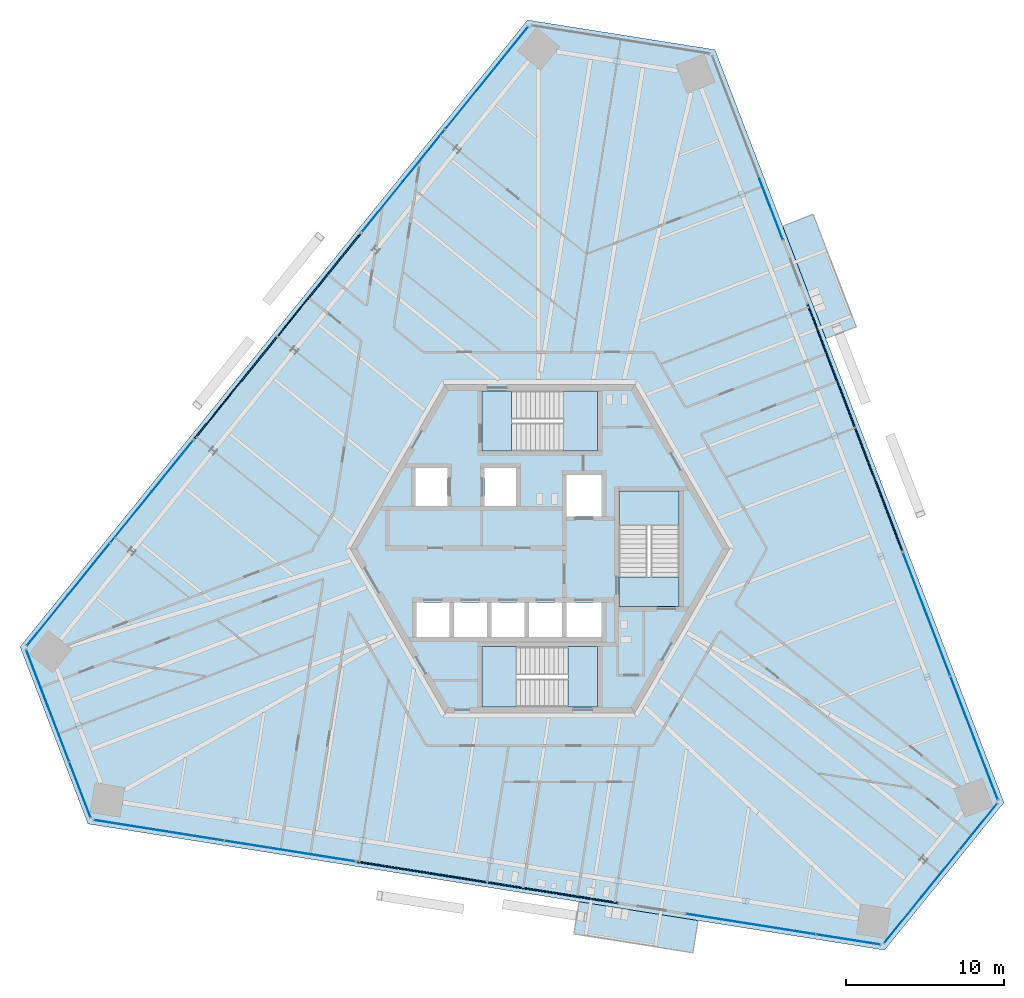
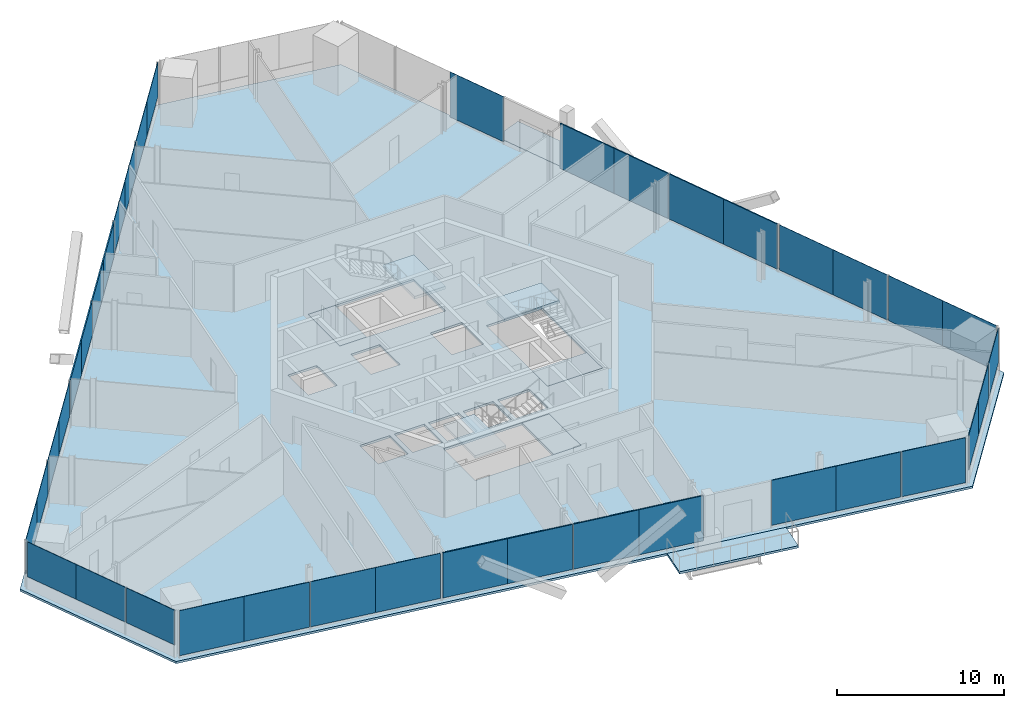
# One storey, part 9 of 18: 38 plates, 9 slabs, 14 elements without a shape of their own.
"""IFC4 building model written with IfcOpenShell, lengths in metres."""

from ifc_helpers import new_model, si_unit, direction, frame, origin, origin_2d, place, context, subcontext, project, spatial, polyline, rectangle, outline, extrude, source, transform, mapped, material, layer, layer_set, type_object, element, aggregate, save


model = new_model("IFC4")

# Units and contexts
model_context = context("Model", 3, precision=1e-05, world=origin(), true_north=direction((0.0, 1.0)))
body_context = subcontext(model_context, "Body", "Model", "MODEL_VIEW")
ifc_project = project(units=[si_unit("LENGTHUNIT", "METRE"), si_unit("AREAUNIT", "SQUARE_METRE"), si_unit("VOLUMEUNIT", "CUBIC_METRE"), si_unit("PLANEANGLEUNIT", "RADIAN"), si_unit("MASSUNIT", "GRAM", prefix="KILO")], contexts=[model_context])

# Site, building, storey
site_placement = place(None, origin())
site = spatial("IfcSite", under=ifc_project, at=site_placement, CompositionType="ELEMENT")
building_placement = place(site_placement, origin())
building = spatial("IfcBuilding", under=site, at=building_placement, Name="Triune Harvest Tower", CompositionType="ELEMENT")
storey_placement = place(building_placement, frame((0.0, 0.0, 156.89990234375)))
storey = spatial("IfcBuildingStorey", under=building, at=storey_placement, Name="L40", CompositionType="ELEMENT", Elevation=156.89990234375)

# Slabs
ifc_material_1 = material(Name="Concrete 40 MPa", Category="concrete")
ifc_layer_1 = layer(ifc_material_1, 0.159912109375)
ifc_layer_set_1 = layer_set([ifc_layer_1], Name="Concrete 40 MPa")
slab_type_1 = type_object("IfcSlabType", Name="BA-1 balcony slab 160", PredefinedType="FLOOR", material=ifc_layer_set_1)
slab_1_placement = place(storey_placement, frame((0.0, 0.0, -0.159912109375)))
element("IfcSlab", 1, at=slab_1_placement, inside=storey, type_object=slab_type_1, Name="Balcony slab B4-F1 L40.9", PredefinedType="FLOOR", context=body_context, shape_type="SweptSolid", body=[
    extrude(outline(polyline([(18.08447265625, 13.302978515625), (15.355712890625, 20.41162109375), (17.280029296875, 21.150390625), (20.0087890625, 14.0419921875), (18.08447265625, 13.302978515625)])), origin(), (0.0, 0.0, 1.0), 0.159912109375),
])
slab_2_placement = place(storey_placement, frame((0.0, 0.0, -0.159912109375)))
element("IfcSlab", 2, at=slab_2_placement, inside=storey, type_object=slab_type_1, Name="Balcony slab B4-F5 L40.9", PredefinedType="FLOOR", context=body_context, shape_type="SweptSolid", body=[
    extrude(outline(polyline([(2.478515625, -22.31298828125), (9.9990234375, -23.504150390625), (9.676513671875, -25.540283203125), (2.15625, -24.34912109375), (2.478515625, -22.31298828125)])), origin(), (0.0, 0.0, 1.0), 0.159912109375),
])
ifc_material_2 = material(Name="Concrete 40 MPa", Category="concrete")
ifc_layer_2 = layer(ifc_material_2, 0.159912109375)
ifc_layer_set_2 = layer_set([ifc_layer_2], Name="Concrete 40 MPa")
slab_type_2 = type_object("IfcSlabType", Name="SL-1 Composite floor slab 160", PredefinedType="FLOOR", material=ifc_layer_set_2)
shared_shape_1 = source(origin(), body_context, "Body", "SweptSolid", [
    extrude(outline(polyline([(29.35107421875, -16.04736328125), (11.07421875, 31.565185546875), (-0.778076171875, 33.4423828125), (-32.873291015625, -6.19189453125), (-28.572998046875, -17.39501953125), (21.799072265625, -25.373291015625), (29.35107421875, -16.04736328125)]), holes=[polyline([(-5.72509765625, -5.590087890625), (-5.72509765625, -3.389892578125), (-7.800048828125, -3.389892578125), (-7.800048828125, -5.590087890625), (-5.72509765625, -5.590087890625)]), polyline([(-3.35009765625, -5.590087890625), (-3.35009765625, -3.389892578125), (-5.425048828125, -3.389892578125), (-5.425048828125, -5.590087890625), (-3.35009765625, -5.590087890625)]), polyline([(-0.97509765625, -5.590087890625), (-0.97509765625, -3.389892578125), (-3.050048828125, -3.389892578125), (-3.050048828125, -5.590087890625), (-0.97509765625, -5.590087890625)]), polyline([(1.39990234375, -5.590087890625), (1.39990234375, -3.389892578125), (-0.675048828125, -3.389892578125), (-0.675048828125, -5.590087890625), (1.39990234375, -5.590087890625)]), polyline([(3.89990234375, 2.06005859375), (3.89990234375, 4.659912109375), (1.699951171875, 4.659912109375), (1.699951171875, 2.06005859375), (3.89990234375, 2.06005859375)]), polyline([(3.89990234375, -5.590087890625), (3.89990234375, -3.389892578125), (1.699951171875, -3.389892578125), (1.699951171875, -5.590087890625), (3.89990234375, -5.590087890625)]), polyline([(-5.85009765625, 2.7099609375), (-5.85009765625, 5.110107421875), (-7.85009765625, 5.110107421875), (-7.85009765625, 2.7099609375), (-5.85009765625, 2.7099609375)]), polyline([(-1.5, 2.7099609375), (-1.5, 5.110107421875), (-3.5, 5.110107421875), (-3.5, 2.7099609375), (-1.5, 2.7099609375)]), polyline([(3.64990234375, 6.18994140625), (3.64990234375, 9.989990234375), (-3.64990234375, 9.989990234375), (-3.64990234375, 6.18994140625), (3.64990234375, 6.18994140625)]), polyline([(3.64990234375, -9.989990234375), (3.64990234375, -6.18994140625), (-3.64990234375, -6.18994140625), (-3.64990234375, -9.989990234375), (3.64990234375, -9.989990234375)]), polyline([(8.800048828125, -3.64990234375), (8.800048828125, 3.64990234375), (5.0, 3.64990234375), (5.0, -3.64990234375), (8.800048828125, -3.64990234375)])]), origin(), (0.0, 0.0, 1.0), 0.159912109375),
])
slab_3_placement = place(storey_placement, frame((0.0, 0.0, -0.159912109375)))
element("IfcSlab", 3, at=slab_3_placement, inside=storey, type_object=slab_type_2, Name="slab/L40/1", PredefinedType="FLOOR", context=body_context, shape_type="MappedRepresentation", body=[
    mapped(shared_shape_1, transform((0.0, 0.0, 0.0), scale=1.0)),
])

# Stair, slabs
ifc_material_3 = material(Name="Concrete 40 MPa", Category="concrete")
stair_type = type_object("IfcStairType", Name="Exit stair 1800 half turn", PredefinedType="HALF_TURN_STAIR", material=ifc_material_3)
stair_1_placement = place(storey_placement, origin())
stair_1 = element("IfcStair", 4, at=stair_1_placement, inside=storey, type_object=stair_type, Name="Exit stair north", PredefinedType="HALF_TURN_STAIR")
ifc_material_4 = material(Name="Concrete 40 MPa", Category="concrete")
ifc_layer_3 = layer(ifc_material_4, 0.199951171875)
ifc_layer_set_3 = layer_set([ifc_layer_3], Name="Concrete 40 MPa")
slab_type_3 = type_object("IfcSlabType", Name="Stair landing 200", PredefinedType="LANDING", material=ifc_layer_set_3)
shared_shape_2 = source(origin(), body_context, "Body", "SweptSolid", [
    extrude(outline(polyline([(1.510009765625, 6.18994140625), (3.64990234375, 6.18994140625), (3.64990234375, 9.989990234375), (1.510009765625, 9.989990234375), (1.510009765625, 6.18994140625)])), origin(), (0.0, 0.0, 1.0), 0.199951171875),
])
slab_4_placement = place(storey_placement, frame((0.0, 0.0, 1.60009765625)))
slab_4 = element("IfcSlab", 5, at=slab_4_placement, type_object=slab_type_3, Name="ST-1 landing 2", PredefinedType="LANDING", context=body_context, shape_type="MappedRepresentation", body=[
    mapped(shared_shape_2, transform((0.0, 0.0, 0.0), scale=1.0)),
])
shared_shape_3 = source(origin(), body_context, "Body", "SweptSolid", [
    extrude(outline(polyline([(-3.64990234375, 6.18994140625), (-1.780029296875, 6.18994140625), (-1.780029296875, 9.989990234375), (-3.64990234375, 9.989990234375), (-3.64990234375, 6.18994140625)])), origin(), (0.0, 0.0, 1.0), 0.199951171875),
])
slab_5_placement = place(storey_placement, frame((0.0, 0.0, -0.199951171875)))
slab_5 = element("IfcSlab", 6, at=slab_5_placement, type_object=slab_type_3, Name="ST-1 landing 1", PredefinedType="LANDING", context=body_context, shape_type="MappedRepresentation", body=[
    mapped(shared_shape_3, transform((0.0, 0.0, 0.0), scale=1.0)),
])
aggregate(stair_1, [slab_5, slab_4])

stair_2_placement = place(storey_placement, origin())
stair_2 = element("IfcStair", 7, at=stair_2_placement, inside=storey, type_object=stair_type, Name="Exit stair south", PredefinedType="HALF_TURN_STAIR")
shared_shape_4 = source(origin(), body_context, "Body", "SweptSolid", [
    extrude(outline(polyline([(-1.510009765625, -6.18994140625), (-3.64990234375, -6.18994140625), (-3.64990234375, -9.989990234375), (-1.510009765625, -9.989990234375), (-1.510009765625, -6.18994140625)])), origin(), (0.0, 0.0, 1.0), 0.199951171875),
])
slab_6_placement = place(storey_placement, frame((0.0, 0.0, 1.60009765625)))
slab_6 = element("IfcSlab", 8, at=slab_6_placement, type_object=slab_type_3, Name="ST-2 landing 2", PredefinedType="LANDING", context=body_context, shape_type="MappedRepresentation", body=[
    mapped(shared_shape_4, transform((0.0, 0.0, 0.0), scale=1.0)),
])
shared_shape_5 = source(origin(), body_context, "Body", "SweptSolid", [
    extrude(outline(polyline([(3.64990234375, -6.18994140625), (1.780029296875, -6.18994140625), (1.780029296875, -9.989990234375), (3.64990234375, -9.989990234375), (3.64990234375, -6.18994140625)])), origin(), (0.0, 0.0, 1.0), 0.199951171875),
])
slab_7_placement = place(storey_placement, frame((0.0, 0.0, -0.199951171875)))
slab_7 = element("IfcSlab", 9, at=slab_7_placement, type_object=slab_type_3, Name="ST-2 landing 1", PredefinedType="LANDING", context=body_context, shape_type="MappedRepresentation", body=[
    mapped(shared_shape_5, transform((0.0, 0.0, 0.0), scale=1.0)),
])
aggregate(stair_2, [slab_7, slab_6])

stair_3_placement = place(storey_placement, origin())
stair_3 = element("IfcStair", 10, at=stair_3_placement, inside=storey, type_object=stair_type, Name="Exit stair east", PredefinedType="HALF_TURN_STAIR")
shared_shape_6 = source(origin(), body_context, "Body", "SweptSolid", [
    extrude(outline(polyline([(8.800048828125, 1.510009765625), (8.800048828125, 3.64990234375), (5.0, 3.64990234375), (5.0, 1.510009765625), (8.800048828125, 1.510009765625)])), origin(), (0.0, 0.0, 1.0), 0.199951171875),
])
slab_8_placement = place(storey_placement, frame((0.0, 0.0, 1.60009765625)))
slab_8 = element("IfcSlab", 11, at=slab_8_placement, type_object=slab_type_3, Name="ST-3 landing 2", PredefinedType="LANDING", context=body_context, shape_type="MappedRepresentation", body=[
    mapped(shared_shape_6, transform((0.0, 0.0, 0.0), scale=1.0)),
])
shared_shape_7 = source(origin(), body_context, "Body", "SweptSolid", [
    extrude(outline(polyline([(8.800048828125, -3.64990234375), (8.800048828125, -1.780029296875), (5.0, -1.780029296875), (5.0, -3.64990234375), (8.800048828125, -3.64990234375)])), origin(), (0.0, 0.0, 1.0), 0.199951171875),
])
slab_9_placement = place(storey_placement, frame((0.0, 0.0, -0.199951171875)))
slab_9 = element("IfcSlab", 12, at=slab_9_placement, type_object=slab_type_3, Name="ST-3 landing 1", PredefinedType="LANDING", context=body_context, shape_type="MappedRepresentation", body=[
    mapped(shared_shape_7, transform((0.0, 0.0, 0.0), scale=1.0)),
])
aggregate(stair_3, [slab_9, slab_8])

# Curtain wall, plate
ifc_material_5 = material(Name="Aluminium bronze anodised", Category="aluminium")
curtain_wall_type_1 = type_object("IfcCurtainWallType", Name="CW-1 Tower stick curtain wall", PredefinedType="NOTDEFINED", material=ifc_material_5)
curtain_wall_1_placement = place(storey_placement, origin())
curtain_wall_1 = element("IfcCurtainWall", 13, at=curtain_wall_1_placement, inside=storey, type_object=curtain_wall_type_1, Name="CW-1 B4-F4 L40 run 1")
ifc_material_6 = material(Name="Glass", Category="glass")
ifc_layer_4 = layer(ifc_material_6, 0.031982421875)
ifc_layer_set_4 = layer_set([ifc_layer_4], Name="Glass")
plate_type_1 = type_object("IfcPlateType", Name="GL-1 panel 32", PredefinedType="CURTAIN_PANEL", material=ifc_layer_set_4)
shared_shape_8 = source(origin(), body_context, "Body", "SweptSolid", [
    extrude(rectangle(XDim=3.74951171875, YDim=0.031982421875, at=origin_2d()), origin(), (0.0, 0.0, 1.0), 2.5400390625),
])
plate_1_placement = place(storey_placement, frame((-31.80029296875, -8.150390625, 0.900146484375), z_axis=(0.0, 0.0, 1.0), x_axis=(0.358368910177, -0.933580057745, 0.0)))
plate_1 = element("IfcPlate", 14, at=plate_1_placement, type_object=plate_type_1, Name="CW-1 panel B4-F4 1.1", PredefinedType="CURTAIN_PANEL", context=body_context, shape_type="MappedRepresentation", body=[
    mapped(shared_shape_8, transform((0.0, 0.0, 0.0), scale=1.0)),
])

curtain_wall_2_placement = place(storey_placement, origin())
curtain_wall_2 = element("IfcCurtainWall", 15, at=curtain_wall_2_placement, inside=storey, type_object=curtain_wall_type_1, Name="CW-1 B4-F6 L40 run 1")
plate_2_placement = place(storey_placement, frame((22.958740234375, -23.464599609375, 0.900146484375), z_axis=(0.0, 0.0, 1.0), x_axis=(0.629320905414, 0.777145544932, 0.0)))
plate_2 = element("IfcPlate", 16, at=plate_2_placement, type_object=plate_type_1, Name="CW-1 panel B4-F6 1.1", PredefinedType="CURTAIN_PANEL", context=body_context, shape_type="MappedRepresentation", body=[
    mapped(shared_shape_8, transform((0.0, 0.0, 0.0), scale=1.0)),
])

# Plate
shared_shape_9 = source(origin(), body_context, "Body", "SweptSolid", [
    extrude(rectangle(XDim=3.787109375, YDim=0.031982421875, at=origin_2d()), origin(), (0.0, 0.0, 1.0), 2.5400390625),
])
plate_3_placement = place(storey_placement, frame((-30.449951171875, -11.66845703125, 0.900146484375), z_axis=(0.0, 0.0, 1.0), x_axis=(0.358368910177, -0.933580057745, 0.0)))
plate_3 = element("IfcPlate", 17, at=plate_3_placement, type_object=plate_type_1, Name="CW-1 panel B4-F4 1.2", PredefinedType="CURTAIN_PANEL", context=body_context, shape_type="MappedRepresentation", body=[
    mapped(shared_shape_9, transform((0.0, 0.0, 0.0), scale=1.0)),
])

plate_4_placement = place(storey_placement, frame((25.330078125, -20.5361328125, 0.900146484375), z_axis=(0.0, 0.0, 1.0), x_axis=(0.629320905414, 0.777145544932, 0.0)))
plate_4 = element("IfcPlate", 18, at=plate_4_placement, type_object=plate_type_1, Name="CW-1 panel B4-F6 1.2", PredefinedType="CURTAIN_PANEL", context=body_context, shape_type="MappedRepresentation", body=[
    mapped(shared_shape_9, transform((0.0, 0.0, 0.0), scale=1.0)),
])

# Curtain wall, plates
ifc_material_7 = material(Name="Aluminium bronze anodised", Category="aluminium")
curtain_wall_type_2 = type_object("IfcCurtainWallType", Name="CW-7 Tower stick curtain wall with insulated spandrel infill", PredefinedType="NOTDEFINED", material=ifc_material_7)
curtain_wall_3_placement = place(storey_placement, origin())
curtain_wall_3 = element("IfcCurtainWall", 19, at=curtain_wall_3_placement, inside=storey, type_object=curtain_wall_type_2, Name="CW-7 B4-F3 L40 run 1001")
ifc_material_8 = material(Name="Insulated spandrel panel, bronze aluminium pan", Category="aluminium")
ifc_layer_5 = layer(ifc_material_8, 0.080078125)
ifc_layer_set_5 = layer_set([ifc_layer_5], Name="Insulated spandrel panel, bronze aluminium pan")
plate_type_2 = type_object("IfcPlateType", Name="SP-1 insulated spandrel panel 80", PredefinedType="CURTAIN_PANEL", material=ifc_layer_set_5)
shared_shape_10 = source(origin(), body_context, "Body", "SweptSolid", [
    extrude(rectangle(XDim=4.131103515625, YDim=0.080078125, at=origin_2d()), origin(), (0.0, 0.0, 1.0), 2.5400390625),
])
plate_5_placement = place(storey_placement, frame((-12.645751953125, 18.310546875, 0.900146484375), z_axis=(0.0, 0.0, 1.0), x_axis=(-0.629317225237, -0.777148525071, 0.0)))
plate_5 = element("IfcPlate", 20, at=plate_5_placement, type_object=plate_type_2, Name="CW-7 panel B4-F3 1001.1", PredefinedType="CURTAIN_PANEL", context=body_context, shape_type="MappedRepresentation", body=[
    mapped(shared_shape_10, transform((0.0, 0.0, 0.0), scale=1.0)),
])
plate_6_placement = place(storey_placement, frame((-20.53955078125, 8.562255859375, 0.900146484375), z_axis=(0.0, 0.0, 1.0), x_axis=(-0.629317225237, -0.777148525071, 0.0)))
plate_6 = element("IfcPlate", 21, at=plate_6_placement, type_object=plate_type_2, Name="CW-7 panel B4-F3 1001.4", PredefinedType="CURTAIN_PANEL", context=body_context, shape_type="MappedRepresentation", body=[
    mapped(shared_shape_10, transform((0.0, 0.0, 0.0), scale=1.0)),
])
shared_shape_11 = source(origin(), body_context, "Body", "SweptSolid", [
    extrude(rectangle(XDim=4.168701171875, YDim=0.080078125, at=origin_2d()), origin(), (0.0, 0.0, 1.0), 2.5400390625),
])
plate_7_placement = place(storey_placement, frame((-15.25732421875, 15.08544921875, 0.900146484375), z_axis=(0.0, 0.0, 1.0), x_axis=(-0.629317225237, -0.777148525071, 0.0)))
plate_7 = element("IfcPlate", 22, at=plate_7_placement, type_object=plate_type_2, Name="CW-7 panel B4-F3 1001.2", PredefinedType="CURTAIN_PANEL", context=body_context, shape_type="MappedRepresentation", body=[
    mapped(shared_shape_11, transform((0.0, 0.0, 0.0), scale=1.0)),
])
plate_8_placement = place(storey_placement, frame((-17.927978515625, 11.787353515625, 0.900146484375), z_axis=(0.0, 0.0, 1.0), x_axis=(-0.629317225237, -0.777148525071, 0.0)))
plate_8 = element("IfcPlate", 23, at=plate_8_placement, type_object=plate_type_2, Name="CW-7 panel B4-F3 1001.3", PredefinedType="CURTAIN_PANEL", context=body_context, shape_type="MappedRepresentation", body=[
    mapped(shared_shape_11, transform((0.0, 0.0, 0.0), scale=1.0)),
])
aggregate(curtain_wall_3, [plate_5, plate_7, plate_8, plate_6])

# Plate
shared_shape_12 = source(origin(), body_context, "Body", "SweptSolid", [
    extrude(rectangle(XDim=3.712158203125, YDim=0.031982421875, at=origin_2d()), origin(), (0.0, 0.0, 1.0), 2.5400390625),
])
plate_9_placement = place(storey_placement, frame((-29.079345703125, -15.239013671875, 0.900146484375), z_axis=(0.0, 0.0, 1.0), x_axis=(0.358368910177, -0.933580057745, 0.0)))
plate_9 = element("IfcPlate", 24, at=plate_9_placement, type_object=plate_type_1, Name="CW-1 panel B4-F4 1.3", PredefinedType="CURTAIN_PANEL", context=body_context, shape_type="MappedRepresentation", body=[
    mapped(shared_shape_12, transform((0.0, 0.0, 0.0), scale=1.0)),
])

aggregate(curtain_wall_1, [plate_1, plate_3, plate_9])

plate_10_placement = place(storey_placement, frame((27.737060546875, -17.563720703125, 0.900146484375), z_axis=(0.0, 0.0, 1.0), x_axis=(0.629320905414, 0.777145544932, 0.0)))
plate_10 = element("IfcPlate", 25, at=plate_10_placement, type_object=plate_type_1, Name="CW-1 panel B4-F6 1.3", PredefinedType="CURTAIN_PANEL", context=body_context, shape_type="MappedRepresentation", body=[
    mapped(shared_shape_12, transform((0.0, 0.0, 0.0), scale=1.0)),
])

aggregate(curtain_wall_2, [plate_2, plate_4, plate_10])

# Curtain wall, plates
curtain_wall_4_placement = place(storey_placement, origin())
curtain_wall_4 = element("IfcCurtainWall", 26, at=curtain_wall_4_placement, inside=storey, type_object=curtain_wall_type_1, Name="CW-1 B4-F3 L40 run 1")
shared_shape_13 = source(origin(), body_context, "Body", "SweptSolid", [
    extrude(rectangle(XDim=4.131103515625, YDim=0.031982421875, at=origin_2d()), origin(), (0.0, 0.0, 1.0), 2.5400390625),
])
plate_11_placement = place(storey_placement, frame((-2.0576171875, 31.385498046875, 0.900146484375), z_axis=(0.0, 0.0, 1.0), x_axis=(-0.629323576018, -0.77714338231, 0.0)))
plate_11 = element("IfcPlate", 27, at=plate_11_placement, type_object=plate_type_1, Name="CW-1 panel B4-F3 1.1", PredefinedType="CURTAIN_PANEL", context=body_context, shape_type="MappedRepresentation", body=[
    mapped(shared_shape_13, transform((0.0, 0.0, 0.0), scale=1.0)),
])
plate_12_placement = place(storey_placement, frame((-9.951416015625, 21.637451171875, 0.900146484375), z_axis=(0.0, 0.0, 1.0), x_axis=(-0.629323576018, -0.77714338231, 0.0)))
plate_12 = element("IfcPlate", 28, at=plate_12_placement, type_object=plate_type_1, Name="CW-1 panel B4-F3 1.4", PredefinedType="CURTAIN_PANEL", context=body_context, shape_type="MappedRepresentation", body=[
    mapped(shared_shape_13, transform((0.0, 0.0, 0.0), scale=1.0)),
])

curtain_wall_5_placement = place(storey_placement, origin())
curtain_wall_5 = element("IfcCurtainWall", 29, at=curtain_wall_5_placement, inside=storey, type_object=curtain_wall_type_1, Name="CW-1 B4-F3 L40 run 2001")
plate_13_placement = place(storey_placement, frame((-23.233642578125, 5.2353515625, 0.900146484375), z_axis=(0.0, 0.0, 1.0), x_axis=(-0.629323576018, -0.77714338231, 0.0)))
plate_13 = element("IfcPlate", 30, at=plate_13_placement, type_object=plate_type_1, Name="CW-1 panel B4-F3 2001.1", PredefinedType="CURTAIN_PANEL", context=body_context, shape_type="MappedRepresentation", body=[
    mapped(shared_shape_13, transform((0.0, 0.0, 0.0), scale=1.0)),
])
plate_14_placement = place(storey_placement, frame((-31.12744140625, -4.5126953125, 0.900146484375), z_axis=(0.0, 0.0, 1.0), x_axis=(-0.629323576018, -0.77714338231, 0.0)))
plate_14 = element("IfcPlate", 31, at=plate_14_placement, type_object=plate_type_1, Name="CW-1 panel B4-F3 2001.4", PredefinedType="CURTAIN_PANEL", context=body_context, shape_type="MappedRepresentation", body=[
    mapped(shared_shape_13, transform((0.0, 0.0, 0.0), scale=1.0)),
])

# Plate
shared_shape_14 = source(origin(), body_context, "Body", "SweptSolid", [
    extrude(rectangle(XDim=4.168701171875, YDim=0.031982421875, at=origin_2d()), origin(), (0.0, 0.0, 1.0), 2.5400390625),
])
plate_15_placement = place(storey_placement, frame((-4.669189453125, 28.160400390625, 0.900146484375), z_axis=(0.0, 0.0, 1.0), x_axis=(-0.629323576018, -0.77714338231, 0.0)))
plate_15 = element("IfcPlate", 32, at=plate_15_placement, type_object=plate_type_1, Name="CW-1 panel B4-F3 1.2", PredefinedType="CURTAIN_PANEL", context=body_context, shape_type="MappedRepresentation", body=[
    mapped(shared_shape_14, transform((0.0, 0.0, 0.0), scale=1.0)),
])

plate_16_placement = place(storey_placement, frame((-7.33984375, 24.862548828125, 0.900146484375), z_axis=(0.0, 0.0, 1.0), x_axis=(-0.629323576018, -0.77714338231, 0.0)))
plate_16 = element("IfcPlate", 33, at=plate_16_placement, type_object=plate_type_1, Name="CW-1 panel B4-F3 1.3", PredefinedType="CURTAIN_PANEL", context=body_context, shape_type="MappedRepresentation", body=[
    mapped(shared_shape_14, transform((0.0, 0.0, 0.0), scale=1.0)),
])

aggregate(curtain_wall_4, [plate_11, plate_15, plate_16, plate_12])

plate_17_placement = place(storey_placement, frame((-25.84521484375, 2.01025390625, 0.900146484375), z_axis=(0.0, 0.0, 1.0), x_axis=(-0.629323576018, -0.77714338231, 0.0)))
plate_17 = element("IfcPlate", 34, at=plate_17_placement, type_object=plate_type_1, Name="CW-1 panel B4-F3 2001.2", PredefinedType="CURTAIN_PANEL", context=body_context, shape_type="MappedRepresentation", body=[
    mapped(shared_shape_14, transform((0.0, 0.0, 0.0), scale=1.0)),
])

plate_18_placement = place(storey_placement, frame((-28.515869140625, -1.28759765625, 0.900146484375), z_axis=(0.0, 0.0, 1.0), x_axis=(-0.629323576018, -0.77714338231, 0.0)))
plate_18 = element("IfcPlate", 35, at=plate_18_placement, type_object=plate_type_1, Name="CW-1 panel B4-F3 2001.3", PredefinedType="CURTAIN_PANEL", context=body_context, shape_type="MappedRepresentation", body=[
    mapped(shared_shape_14, transform((0.0, 0.0, 0.0), scale=1.0)),
])

aggregate(curtain_wall_5, [plate_13, plate_17, plate_18, plate_14])

# Curtain wall, plates
ifc_material_9 = material(Name="Aluminium bronze anodised", Category="aluminium")
curtain_wall_type_3 = type_object("IfcCurtainWallType", Name="CW-6 Balcony window wall", PredefinedType="NOTDEFINED", material=ifc_material_9)
curtain_wall_6_placement = place(storey_placement, origin())
curtain_wall_6 = element("IfcCurtainWall", 36, at=curtain_wall_6_placement, inside=storey, type_object=curtain_wall_type_3, Name="CW-6 B4-F1 L40 run 1")
ifc_material_10 = material(Name="Glass", Category="glass")
ifc_layer_6 = layer(ifc_material_10, 0.030029296875)
ifc_layer_set_6 = layer_set([ifc_layer_6], Name="Glass")
plate_type_3 = type_object("IfcPlateType", Name="GL-6 panel 30", PredefinedType="CURTAIN_PANEL", material=ifc_layer_set_6)
shared_shape_15 = source(origin(), body_context, "Body", "SweptSolid", [
    extrude(rectangle(XDim=4.134765625, YDim=0.030029296875, at=origin_2d()), origin(), (0.0, 0.0, 1.0), 3.2900390625),
])
plate_19_placement = place(storey_placement, frame((28.208984375, -13.908935546875, 0.150146484375), z_axis=(0.0, 0.0, 1.0), x_axis=(-0.358367452837, 0.933580617165, 0.0)))
plate_19 = element("IfcPlate", 37, at=plate_19_placement, type_object=plate_type_3, Name="CW-6 panel B4-F1 1.1", PredefinedType="CURTAIN_PANEL", context=body_context, shape_type="MappedRepresentation", body=[
    mapped(shared_shape_15, transform((0.0, 0.0, 0.0), scale=1.0)),
])
plate_20_placement = place(storey_placement, frame((23.709716796875, -2.188232421875, 0.150146484375), z_axis=(0.0, 0.0, 1.0), x_axis=(-0.358367452837, 0.933580617165, 0.0)))
plate_20 = element("IfcPlate", 38, at=plate_20_placement, type_object=plate_type_3, Name="CW-6 panel B4-F1 1.4", PredefinedType="CURTAIN_PANEL", context=body_context, shape_type="MappedRepresentation", body=[
    mapped(shared_shape_15, transform((0.0, 0.0, 0.0), scale=1.0)),
])

curtain_wall_7_placement = place(storey_placement, origin())
curtain_wall_7 = element("IfcCurtainWall", 39, at=curtain_wall_7_placement, inside=storey, type_object=curtain_wall_type_3, Name="CW-6 B4-F5 L40 run 1")
plate_21_placement = place(storey_placement, frame((-26.150146484375, -17.47509765625, 0.150146484375), z_axis=(0.0, 0.0, 1.0), x_axis=(0.987687992958, -0.156436659921, 0.0)))
plate_21 = element("IfcPlate", 40, at=plate_21_placement, type_object=plate_type_3, Name="CW-6 panel B4-F5 1.1", PredefinedType="CURTAIN_PANEL", context=body_context, shape_type="MappedRepresentation", body=[
    mapped(shared_shape_15, transform((0.0, 0.0, 0.0), scale=1.0)),
])
plate_22_placement = place(storey_placement, frame((-13.75, -19.43896484375, 0.150146484375), z_axis=(0.0, 0.0, 1.0), x_axis=(0.987687992958, -0.156436659921, 0.0)))
plate_22 = element("IfcPlate", 41, at=plate_22_placement, type_object=plate_type_3, Name="CW-6 panel B4-F5 1.4", PredefinedType="CURTAIN_PANEL", context=body_context, shape_type="MappedRepresentation", body=[
    mapped(shared_shape_15, transform((0.0, 0.0, 0.0), scale=1.0)),
])

# Plate
shared_shape_16 = source(origin(), body_context, "Body", "SweptSolid", [
    extrude(rectangle(XDim=4.17236328125, YDim=0.030029296875, at=origin_2d()), origin(), (0.0, 0.0, 1.0), 3.2900390625),
])
plate_23_placement = place(storey_placement, frame((26.72021484375, -10.03125, 0.150146484375), z_axis=(0.0, 0.0, 1.0), x_axis=(-0.358367452837, 0.933580617165, 0.0)))
plate_23 = element("IfcPlate", 42, at=plate_23_placement, type_object=plate_type_3, Name="CW-6 panel B4-F1 1.2", PredefinedType="CURTAIN_PANEL", context=body_context, shape_type="MappedRepresentation", body=[
    mapped(shared_shape_16, transform((0.0, 0.0, 0.0), scale=1.0)),
])

plate_24_placement = place(storey_placement, frame((25.1982421875, -6.06591796875, 0.150146484375), z_axis=(0.0, 0.0, 1.0), x_axis=(-0.358367452837, 0.933580617165, 0.0)))
plate_24 = element("IfcPlate", 43, at=plate_24_placement, type_object=plate_type_3, Name="CW-6 panel B4-F1 1.3", PredefinedType="CURTAIN_PANEL", context=body_context, shape_type="MappedRepresentation", body=[
    mapped(shared_shape_16, transform((0.0, 0.0, 0.0), scale=1.0)),
])

aggregate(curtain_wall_6, [plate_19, plate_23, plate_24, plate_20])

plate_25_placement = place(storey_placement, frame((-22.047607421875, -18.124755859375, 0.150146484375), z_axis=(0.0, 0.0, 1.0), x_axis=(0.987687992958, -0.156436659921, 0.0)))
plate_25 = element("IfcPlate", 44, at=plate_25_placement, type_object=plate_type_3, Name="CW-6 panel B4-F5 1.2", PredefinedType="CURTAIN_PANEL", context=body_context, shape_type="MappedRepresentation", body=[
    mapped(shared_shape_16, transform((0.0, 0.0, 0.0), scale=1.0)),
])

plate_26_placement = place(storey_placement, frame((-17.8525390625, -18.789306640625, 0.150146484375), z_axis=(0.0, 0.0, 1.0), x_axis=(0.987687992958, -0.156436659921, 0.0)))
plate_26 = element("IfcPlate", 45, at=plate_26_placement, type_object=plate_type_3, Name="CW-6 panel B4-F5 1.3", PredefinedType="CURTAIN_PANEL", context=body_context, shape_type="MappedRepresentation", body=[
    mapped(shared_shape_16, transform((0.0, 0.0, 0.0), scale=1.0)),
])

aggregate(curtain_wall_7, [plate_21, plate_25, plate_26, plate_22])

# Curtain wall, plates
ifc_material_11 = material(Name="Aluminium bronze anodised", Category="aluminium")
curtain_wall_type_4 = type_object("IfcCurtainWallType", Name="CW-10 Balcony window wall with insulated spandrel infill", PredefinedType="NOTDEFINED", material=ifc_material_11)
curtain_wall_8_placement = place(storey_placement, origin())
curtain_wall_8 = element("IfcCurtainWall", 46, at=curtain_wall_8_placement, inside=storey, type_object=curtain_wall_type_4, Name="CW-10 B4-F1 L40 run 1001")
shared_shape_17 = source(origin(), body_context, "Body", "SweptSolid", [
    extrude(rectangle(XDim=4.134765625, YDim=0.080078125, at=origin_2d()), origin(), (0.0, 0.0, 1.0), 3.2900390625),
])
plate_27_placement = place(storey_placement, frame((22.174072265625, 1.81201171875, 0.150146484375), z_axis=(0.0, 0.0, 1.0), x_axis=(-0.358371091737, 0.933579220317, 0.0)))
plate_27 = element("IfcPlate", 47, at=plate_27_placement, type_object=plate_type_2, Name="CW-10 panel B4-F1 1001.1", PredefinedType="CURTAIN_PANEL", context=body_context, shape_type="MappedRepresentation", body=[
    mapped(shared_shape_17, transform((0.0, 0.0, 0.0), scale=1.0)),
])
plate_28_placement = place(storey_placement, frame((17.6748046875, 13.53271484375, 0.150146484375), z_axis=(0.0, 0.0, 1.0), x_axis=(-0.358371091737, 0.933579220317, 0.0)))
plate_28 = element("IfcPlate", 48, at=plate_28_placement, type_object=plate_type_2, Name="CW-10 panel B4-F1 1001.4", PredefinedType="CURTAIN_PANEL", context=body_context, shape_type="MappedRepresentation", body=[
    mapped(shared_shape_17, transform((0.0, 0.0, 0.0), scale=1.0)),
])
shared_shape_18 = source(origin(), body_context, "Body", "SweptSolid", [
    extrude(rectangle(XDim=4.17236328125, YDim=0.080078125, at=origin_2d()), origin(), (0.0, 0.0, 1.0), 3.2900390625),
])
plate_29_placement = place(storey_placement, frame((20.685546875, 5.689697265625, 0.150146484375), z_axis=(0.0, 0.0, 1.0), x_axis=(-0.358371091737, 0.933579220317, 0.0)))
plate_29 = element("IfcPlate", 49, at=plate_29_placement, type_object=plate_type_2, Name="CW-10 panel B4-F1 1001.2", PredefinedType="CURTAIN_PANEL", context=body_context, shape_type="MappedRepresentation", body=[
    mapped(shared_shape_18, transform((0.0, 0.0, 0.0), scale=1.0)),
])
plate_30_placement = place(storey_placement, frame((19.163330078125, 9.655029296875, 0.150146484375), z_axis=(0.0, 0.0, 1.0), x_axis=(-0.358371091737, 0.933579220317, 0.0)))
plate_30 = element("IfcPlate", 50, at=plate_30_placement, type_object=plate_type_2, Name="CW-10 panel B4-F1 1001.3", PredefinedType="CURTAIN_PANEL", context=body_context, shape_type="MappedRepresentation", body=[
    mapped(shared_shape_18, transform((0.0, 0.0, 0.0), scale=1.0)),
])
aggregate(curtain_wall_8, [plate_27, plate_29, plate_30, plate_28])

curtain_wall_9_placement = place(storey_placement, origin())
curtain_wall_9 = element("IfcCurtainWall", 51, at=curtain_wall_9_placement, inside=storey, type_object=curtain_wall_type_4, Name="CW-10 B4-F5 L40 run 1001")
plate_31_placement = place(storey_placement, frame((-5.415283203125, -20.759033203125, 0.150146484375), z_axis=(0.0, 0.0, 1.0), x_axis=(0.987688526863, -0.156433288984, 0.0)))
plate_31 = element("IfcPlate", 52, at=plate_31_placement, type_object=plate_type_2, Name="CW-10 panel B4-F5 1001.2", PredefinedType="CURTAIN_PANEL", context=body_context, shape_type="MappedRepresentation", body=[
    mapped(shared_shape_18, transform((0.0, 0.0, 0.0), scale=1.0)),
])
plate_32_placement = place(storey_placement, frame((-1.22021484375, -21.423583984375, 0.150146484375), z_axis=(0.0, 0.0, 1.0), x_axis=(0.987688526863, -0.156433288984, 0.0)))
plate_32 = element("IfcPlate", 53, at=plate_32_placement, type_object=plate_type_2, Name="CW-10 panel B4-F5 1001.3", PredefinedType="CURTAIN_PANEL", context=body_context, shape_type="MappedRepresentation", body=[
    mapped(shared_shape_18, transform((0.0, 0.0, 0.0), scale=1.0)),
])

# Curtain wall, plate
curtain_wall_10_placement = place(storey_placement, origin())
curtain_wall_10 = element("IfcCurtainWall", 54, at=curtain_wall_10_placement, inside=storey, type_object=curtain_wall_type_3, Name="CW-6 B4-F1 L40 run 2")
shared_shape_19 = source(origin(), body_context, "Body", "SweptSolid", [
    extrude(rectangle(XDim=4.1162109375, YDim=0.030029296875, at=origin_2d()), origin(), (0.0, 0.0, 1.0), 3.2900390625),
])
plate_33_placement = place(storey_placement, frame((14.6298828125, 21.465087890625, 0.150146484375), z_axis=(0.0, 0.0, 1.0), x_axis=(-0.35836927228, 0.933579918746, 0.0)))
plate_33 = element("IfcPlate", 55, at=plate_33_placement, type_object=plate_type_3, Name="CW-6 panel B4-F1 2.1", PredefinedType="CURTAIN_PANEL", context=body_context, shape_type="MappedRepresentation", body=[
    mapped(shared_shape_19, transform((0.0, 0.0, 0.0), scale=1.0)),
])
aggregate(curtain_wall_10, [plate_33])

# Curtain wall, plates
curtain_wall_11_placement = place(storey_placement, origin())
curtain_wall_11 = element("IfcCurtainWall", 56, at=curtain_wall_11_placement, inside=storey, type_object=curtain_wall_type_3, Name="CW-6 B4-F5 L40 run 2")
plate_34_placement = place(storey_placement, frame((11.2744140625, -23.402587890625, 0.150146484375), z_axis=(0.0, 0.0, 1.0), x_axis=(0.987688259912, -0.156434974453, 0.0)))
plate_34 = element("IfcPlate", 57, at=plate_34_placement, type_object=plate_type_3, Name="CW-6 panel B4-F5 2.1", PredefinedType="CURTAIN_PANEL", context=body_context, shape_type="MappedRepresentation", body=[
    mapped(shared_shape_19, transform((0.0, 0.0, 0.0), scale=1.0)),
])
shared_shape_20 = source(origin(), body_context, "Body", "SweptSolid", [
    extrude(rectangle(XDim=4.153564453125, YDim=0.030029296875, at=origin_2d()), origin(), (0.0, 0.0, 1.0), 3.2900390625),
])
plate_35_placement = place(storey_placement, frame((15.3583984375, -24.04931640625, 0.150146484375), z_axis=(0.0, 0.0, 1.0), x_axis=(0.987688259912, -0.156434974453, 0.0)))
plate_35 = element("IfcPlate", 58, at=plate_35_placement, type_object=plate_type_3, Name="CW-6 panel B4-F5 2.2", PredefinedType="CURTAIN_PANEL", context=body_context, shape_type="MappedRepresentation", body=[
    mapped(shared_shape_20, transform((0.0, 0.0, 0.0), scale=1.0)),
])
shared_shape_21 = source(origin(), body_context, "Body", "SweptSolid", [
    extrude(rectangle(XDim=4.07861328125, YDim=0.030029296875, at=origin_2d()), origin(), (0.0, 0.0, 1.0), 3.2900390625),
])
plate_36_placement = place(storey_placement, frame((19.497802734375, -24.705078125, 0.150146484375), z_axis=(0.0, 0.0, 1.0), x_axis=(0.987688259912, -0.156434974453, 0.0)))
plate_36 = element("IfcPlate", 59, at=plate_36_placement, type_object=plate_type_3, Name="CW-6 panel B4-F5 2.3", PredefinedType="CURTAIN_PANEL", context=body_context, shape_type="MappedRepresentation", body=[
    mapped(shared_shape_21, transform((0.0, 0.0, 0.0), scale=1.0)),
])
aggregate(curtain_wall_11, [plate_34, plate_35, plate_36])

# Plate
shared_shape_22 = source(origin(), body_context, "Body", "SweptSolid", [
    extrude(rectangle(XDim=4.135009765625, YDim=0.080078125, at=origin_2d()), origin(), (0.0, 0.0, 1.0), 3.2900390625),
])
plate_37_placement = place(storey_placement, frame((-9.517822265625, -20.109375, 0.150146484375), z_axis=(0.0, 0.0, 1.0), x_axis=(0.987688526863, -0.156433288984, 0.0)))
plate_37 = element("IfcPlate", 60, at=plate_37_placement, type_object=plate_type_2, Name="CW-10 panel B4-F5 1001.1", PredefinedType="CURTAIN_PANEL", context=body_context, shape_type="MappedRepresentation", body=[
    mapped(shared_shape_22, transform((0.0, 0.0, 0.0), scale=1.0)),
])

plate_38_placement = place(storey_placement, frame((2.88232421875, -22.0732421875, 0.150146484375), z_axis=(0.0, 0.0, 1.0), x_axis=(0.987688526863, -0.156433288984, 0.0)))
plate_38 = element("IfcPlate", 61, at=plate_38_placement, type_object=plate_type_2, Name="CW-10 panel B4-F5 1001.4", PredefinedType="CURTAIN_PANEL", context=body_context, shape_type="MappedRepresentation", body=[
    mapped(shared_shape_22, transform((0.0, 0.0, 0.0), scale=1.0)),
])

aggregate(curtain_wall_9, [plate_37, plate_31, plate_32, plate_38])

save(model, "model.ifc")
